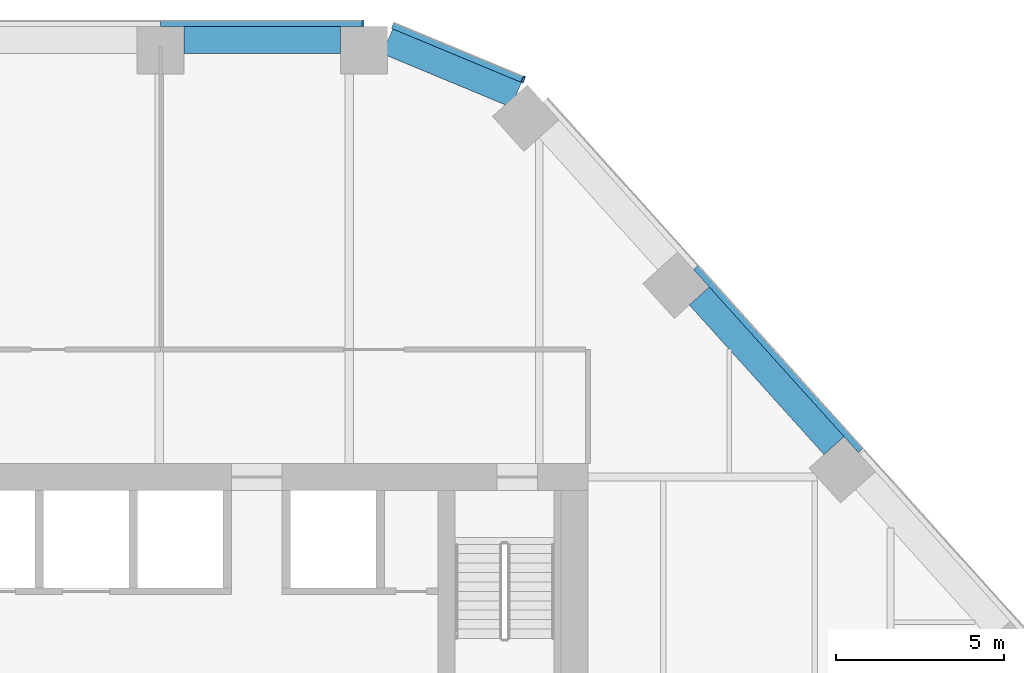
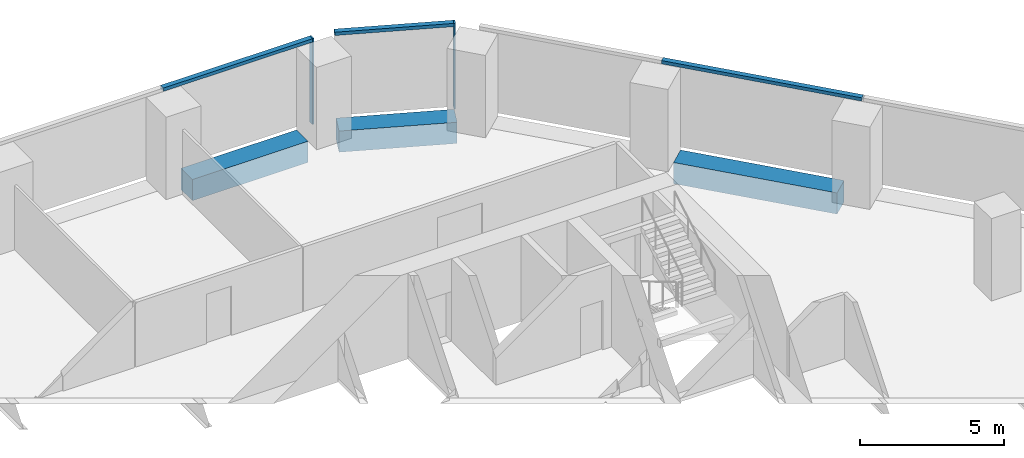
# One storey, part 9 of 16: 5 members, 3 beams, 3 elements without a shape of their own.
"""IFC4 building model written with IfcOpenShell, lengths in metres."""

from ifc_helpers import new_model, si_unit, direction, frame, origin, origin_2d, place, context, subcontext, project, spatial, rectangle, extrude, material, layer, layer_set, material_profile, profile_set, type_object, element, aggregate, save


model = new_model("IFC4")

# Units and contexts
model_context = context("Model", 3, precision=1e-05, world=origin(), true_north=direction((0.0, 1.0)))
body_context = subcontext(model_context, "Body", "Model", "MODEL_VIEW")
ifc_project = project(units=[si_unit("LENGTHUNIT", "METRE"), si_unit("AREAUNIT", "SQUARE_METRE"), si_unit("VOLUMEUNIT", "CUBIC_METRE"), si_unit("PLANEANGLEUNIT", "RADIAN"), si_unit("MASSUNIT", "GRAM", prefix="KILO")], contexts=[model_context])

# Site, building, storey
site_placement = place(None, origin())
site = spatial("IfcSite", under=ifc_project, at=site_placement, CompositionType="ELEMENT")
building_placement = place(site_placement, origin())
building = spatial("IfcBuilding", under=site, at=building_placement, Name="Isthmus Gate Tower", CompositionType="ELEMENT")
storey_placement = place(building_placement, frame((0.0, 0.0, 155.35009765625)))
storey = spatial("IfcBuildingStorey", under=building, at=storey_placement, Name="L38", CompositionType="ELEMENT", Elevation=155.35009765625)

# Curtain wall, member
ifc_material_1 = material(Name="Aluminium, pale champagne anodised", Category="aluminium")
ifc_layer = layer(ifc_material_1, 0.199951171875)
ifc_layer_set = layer_set([ifc_layer], Name="CW-1 UNITISED CURTAIN WALL 200 DEEP")
curtain_wall_type = type_object("IfcCurtainWallType", Name="CW-1 UNITISED CURTAIN WALL 200 DEEP", PredefinedType="NOTDEFINED", material=ifc_layer_set)
curtain_wall_1_placement = place(storey_placement, origin())
curtain_wall_1 = element("IfcCurtainWall", 1, at=curtain_wall_1_placement, inside=storey, type_object=curtain_wall_type, Name="CW-1 N L38", PredefinedType="NOTDEFINED")
ifc_material_2 = material(Name="Aluminium, pale champagne anodised", Category="aluminium")
ifc_material_profile_1 = material_profile(ifc_material_2, rectangle(XDim=0.06005859375, YDim=0.199951171875, at=origin_2d()), Name="60x200")
ifc_profile_set_1 = profile_set([ifc_material_profile_1], Name="Aluminium, pale champagne anodised")
member_type_1 = type_object("IfcMemberType", Name="CW-1 MULLION 60 X 200", PredefinedType="MULLION", material=ifc_profile_set_1)
member_1_placement = place(storey_placement, frame((8.30859375, 28.10009765625, 0.0), z_axis=(0.0, 0.0, 1.0), x_axis=(-1.0, 0.0, 0.0)))
member_1 = element("IfcMember", 2, at=member_1_placement, type_object=member_type_1, Name="CW-1 mullion", PredefinedType="MULLION", context=body_context, shape_type="SweptSolid", body=[
    extrude(rectangle(XDim=0.06005859375, YDim=0.199951171875, at=origin_2d()), origin(), (0.0, 0.0, 1.0), 3.64990234375),
])

curtain_wall_2_placement = place(storey_placement, origin())
curtain_wall_2 = element("IfcCurtainWall", 3, at=curtain_wall_2_placement, inside=storey, type_object=curtain_wall_type, Name="CW-1 NE-N L38", PredefinedType="NOTDEFINED")
member_2_placement = place(storey_placement, frame((13.080810546875, 26.427490234375, 0.0), z_axis=(0.0, 0.0, 1.0), x_axis=(-0.923353128387, 0.383951820282, 0.0)))
member_2 = element("IfcMember", 4, at=member_2_placement, type_object=member_type_1, Name="CW-1 mullion", PredefinedType="MULLION", context=body_context, shape_type="SweptSolid", body=[
    extrude(rectangle(XDim=0.06005859375, YDim=0.199951171875, at=origin_2d()), origin(), (0.0, 0.0, 1.0), 3.64990234375),
])

# Member
ifc_material_3 = material(Name="Aluminium, pale champagne anodised", Category="aluminium")
ifc_material_profile_2 = material_profile(ifc_material_3, rectangle(XDim=0.199951171875, YDim=0.139892578125, at=origin_2d()), Name="200x140")
ifc_profile_set_2 = profile_set([ifc_material_profile_2], Name="Aluminium, pale champagne anodised")
member_type_2 = type_object("IfcMemberType", Name="CW-1 TRANSOM 200 X 140", PredefinedType="USERDEFINED", material=ifc_profile_set_2)
member_3_placement = place(storey_placement, frame((8.278564453125, 28.10009765625, 3.579833984375), z_axis=(-1.0, 0.0, 0.0), x_axis=(0.0, -1.0, 0.0)))
member_3 = element("IfcMember", 5, at=member_3_placement, type_object=member_type_2, Name="CW-1 transom", ObjectType="TRANSOM", PredefinedType="USERDEFINED", context=body_context, shape_type="SweptSolid", body=[
    extrude(rectangle(XDim=0.199951171875, YDim=0.139892578125, at=origin_2d()), origin(), (0.0, 0.0, 1.0), 5.990234375),
])

aggregate(curtain_wall_1, [member_1, member_3])

# Curtain wall, member
curtain_wall_3_placement = place(storey_placement, origin())
curtain_wall_3 = element("IfcCurtainWall", 6, at=curtain_wall_3_placement, inside=storey, type_object=curtain_wall_type, Name="CW-1 NE L38", PredefinedType="NOTDEFINED")
member_4_placement = place(storey_placement, frame((23.126708984375, 15.3955078125, 3.579833984375), z_axis=(-0.669137671884, 0.743138463589, 0.0), x_axis=(-0.743138463589, -0.669137671884, 0.0)))
member_4 = element("IfcMember", 7, at=member_4_placement, type_object=member_type_2, Name="CW-1 transom", ObjectType="TRANSOM", PredefinedType="USERDEFINED", context=body_context, shape_type="SweptSolid", body=[
    extrude(rectangle(XDim=0.199951171875, YDim=0.139892578125, at=origin_2d()), origin(), (0.0, 0.0, 1.0), 7.330810546875),
])
aggregate(curtain_wall_3, [member_4])

# Member
member_5_placement = place(storey_placement, frame((13.05322265625, 26.43896484375, 3.579833984375), z_axis=(-0.923358236369, 0.383939536033, 0.0), x_axis=(-0.383939536033, -0.923358236369, 0.0)))
member_5 = element("IfcMember", 8, at=member_5_placement, type_object=member_type_2, Name="CW-1 transom", ObjectType="TRANSOM", PredefinedType="USERDEFINED", context=body_context, shape_type="SweptSolid", body=[
    extrude(rectangle(XDim=0.199951171875, YDim=0.139892578125, at=origin_2d()), origin(), (0.0, 0.0, 1.0), 4.181640625),
])

aggregate(curtain_wall_2, [member_2, member_5])

# Beams
ifc_material_4 = material(Name="Concrete f'c 60 MPa", Category="concrete")
ifc_material_profile_3 = material_profile(ifc_material_4, rectangle(XDim=0.800048828125, YDim=0.89990234375, at=origin_2d()), Name="RC 800X900")
ifc_profile_set_3 = profile_set([ifc_material_profile_3], Name="Concrete f'c 60 MPa")
beam_type = type_object("IfcBeamType", Name="RC SPANDREL 800 X 900", PredefinedType="SPANDREL", material=ifc_profile_set_3)
beam_1_placement = place(storey_placement, frame((9.03857421875, 27.56689453125, -0.4501953125), z_axis=(0.923342835736, -0.383976571805, 0.0), x_axis=(0.383976571805, 0.923342835736, 0.0)))
element("IfcBeam", 9, at=beam_1_placement, inside=storey, type_object=beam_type, Name="str-spandrel-L38-00", PredefinedType="SPANDREL", context=body_context, shape_type="SweptSolid", body=[
    extrude(rectangle(XDim=0.800048828125, YDim=0.89990234375, at=origin_2d()), origin(), (0.0, 0.0, 1.0), 4.152587890625),
])
beam_2_placement = place(storey_placement, frame((18.318359375, 19.988525390625, -0.4501953125), z_axis=(0.669133582923, -0.743142145356, 0.0), x_axis=(0.743142145356, 0.669133582923, 0.0)))
element("IfcBeam", 10, at=beam_2_placement, inside=storey, type_object=beam_type, Name="str-spandrel-L38-02", PredefinedType="SPANDREL", context=body_context, shape_type="SweptSolid", body=[
    extrude(rectangle(XDim=0.800048828125, YDim=0.89990234375, at=origin_2d()), origin(), (0.0, 0.0, 1.0), 5.99072265625),
])
beam_3_placement = place(storey_placement, frame((2.988525390625, 27.60009765625, -0.4501953125), z_axis=(1.0, 0.0, 0.0), x_axis=(0.0, 1.0, 0.0)))
element("IfcBeam", 11, at=beam_3_placement, inside=storey, type_object=beam_type, Name="str-spandrel-L38-29", PredefinedType="SPANDREL", context=body_context, shape_type="SweptSolid", body=[
    extrude(rectangle(XDim=0.800048828125, YDim=0.89990234375, at=origin_2d()), origin(), (0.0, 0.0, 1.0), 4.650146484375),
])

save(model, "model.ifc")
